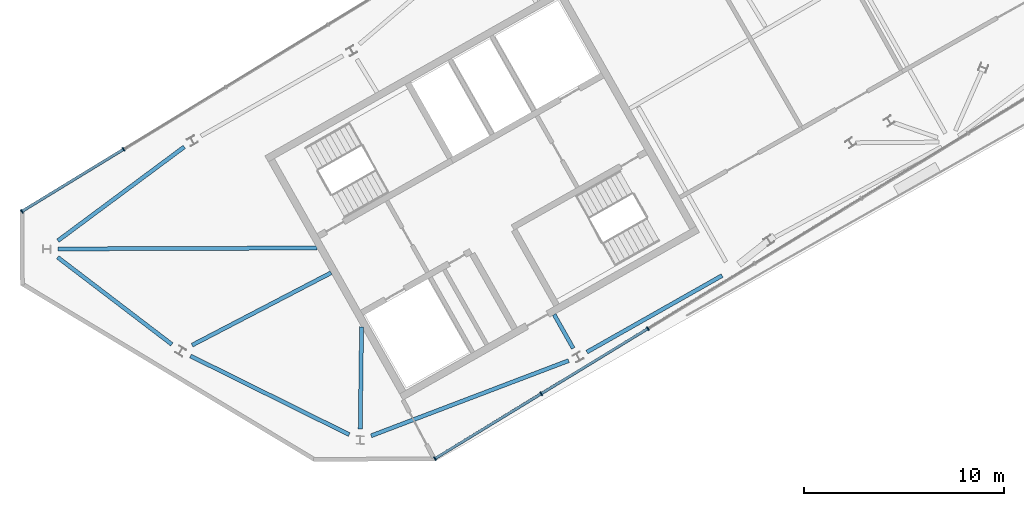
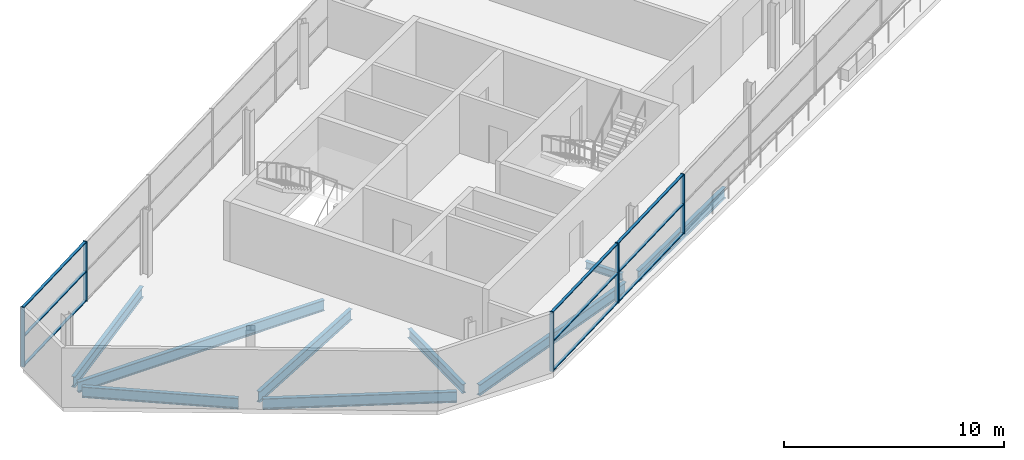
# One storey, part 3 of 10: 14 members, 9 beams, 2 elements without a shape of their own.
"""IFC4 building model written with IfcOpenShell, lengths in metres."""

from ifc_helpers import new_model, si_unit, direction, frame, origin, origin_2d, place, context, subcontext, project, spatial, rectangle, i_section, extrude, material, material_profile, profile_set, type_object, element, aggregate, save


model = new_model("IFC4")

# Units and contexts
model_context = context("Model", 3, precision=1e-05, world=origin(), true_north=direction((0.0, 1.0)))
body_context = subcontext(model_context, "Body", "Model", "MODEL_VIEW")
ifc_project = project(units=[si_unit("LENGTHUNIT", "METRE"), si_unit("AREAUNIT", "SQUARE_METRE"), si_unit("VOLUMEUNIT", "CUBIC_METRE"), si_unit("PLANEANGLEUNIT", "RADIAN"), si_unit("MASSUNIT", "GRAM", prefix="KILO")], contexts=[model_context])

# Site, building, storey
site_placement = place(None, origin())
site = spatial("IfcSite", under=ifc_project, at=site_placement, CompositionType="ELEMENT")
building_placement = place(site_placement, origin())
building = spatial("IfcBuilding", under=site, at=building_placement, Name="Binnacle Exchange Tower", CompositionType="ELEMENT")
storey_placement = place(building_placement, frame((0.0, 0.0, 346.89990234375)))
storey = spatial("IfcBuildingStorey", under=building, at=storey_placement, Name="L79", CompositionType="ELEMENT", Elevation=346.89990234375)

# Curtain wall, members
ifc_material_1 = material(Name="Bronze anodised aluminium frame", Category="aluminium")
curtain_wall_type = type_object("IfcCurtainWallType", Name="External wall - curtain wall crown tiers", PredefinedType="NOTDEFINED", material=ifc_material_1)
curtain_wall_1_placement = place(storey_placement, origin())
curtain_wall_1 = element("IfcCurtainWall", 1, at=curtain_wall_1_placement, inside=storey, type_object=curtain_wall_type, Name="External wall curtain wall CW5-C103 L79", PredefinedType="NOTDEFINED")
ifc_material_profile_1 = material_profile(ifc_material_1, rectangle(XDim=0.199951171875, YDim=0.06005859375, at=origin_2d()), Name="AL 60x200")
ifc_profile_set_1 = profile_set([ifc_material_profile_1], Name="Bronze anodised aluminium frame")
member_type_1 = type_object("IfcMemberType", Name="CW5 MULLION 60x200", PredefinedType="MULLION", material=ifc_profile_set_1)
member_1_placement = place(storey_placement, frame((-53.66259765625, 42.00048828125, 0.0), z_axis=(0.0, 0.0, 1.0), x_axis=(0.521156922554, -0.853460873194, 0.0)))
member_1 = element("IfcMember", 2, at=member_1_placement, type_object=member_type_1, Name="CW5-C103 mullion 10", PredefinedType="MULLION", context=body_context, shape_type="SweptSolid", body=[
    extrude(rectangle(XDim=0.199951171875, YDim=0.06005859375, at=origin_2d()), origin(), (0.0, 0.0, 1.0), 3.300048828125),
])
member_2_placement = place(storey_placement, frame((-58.738525390625, 38.90087890625, 0.0), z_axis=(0.0, 0.0, 1.0), x_axis=(0.521156922554, -0.853460873194, 0.0)))
member_2 = element("IfcMember", 3, at=member_2_placement, type_object=member_type_1, Name="CW5-C103 mullion 11", PredefinedType="MULLION", context=body_context, shape_type="SweptSolid", body=[
    extrude(rectangle(XDim=0.199951171875, YDim=0.06005859375, at=origin_2d()), origin(), (0.0, 0.0, 1.0), 3.300048828125),
])

curtain_wall_2_placement = place(storey_placement, origin())
curtain_wall_2 = element("IfcCurtainWall", 4, at=curtain_wall_2_placement, inside=storey, type_object=curtain_wall_type, Name="External wall curtain wall CW5-C107 L79", PredefinedType="NOTDEFINED")
member_3_placement = place(storey_placement, frame((-38.119873046875, 26.568603515625, 0.0), z_axis=(0.0, 0.0, 1.0), x_axis=(-0.521156922554, 0.853460873194, 0.0)))
member_3 = element("IfcMember", 5, at=member_3_placement, type_object=member_type_1, Name="CW5-C107 mullion 1", PredefinedType="MULLION", context=body_context, shape_type="SweptSolid", body=[
    extrude(rectangle(XDim=0.199951171875, YDim=0.06005859375, at=origin_2d()), origin(), (0.0, 0.0, 1.0), 3.300048828125),
])
member_4_placement = place(storey_placement, frame((-32.820556640625, 29.804443359375, 0.0), z_axis=(0.0, 0.0, 1.0), x_axis=(-0.521156922554, 0.853460873194, 0.0)))
member_4 = element("IfcMember", 6, at=member_4_placement, type_object=member_type_1, Name="CW5-C107 mullion 2", PredefinedType="MULLION", context=body_context, shape_type="SweptSolid", body=[
    extrude(rectangle(XDim=0.199951171875, YDim=0.06005859375, at=origin_2d()), origin(), (0.0, 0.0, 1.0), 3.300048828125),
])
member_5_placement = place(storey_placement, frame((-27.49560546875, 33.05615234375, 0.0), z_axis=(0.0, 0.0, 1.0), x_axis=(-0.521156922554, 0.853460873194, 0.0)))
member_5 = element("IfcMember", 7, at=member_5_placement, type_object=member_type_1, Name="CW5-C107 mullion 3", PredefinedType="MULLION", context=body_context, shape_type="SweptSolid", body=[
    extrude(rectangle(XDim=0.199951171875, YDim=0.06005859375, at=origin_2d()), origin(), (0.0, 0.0, 1.0), 3.300048828125),
])

# Member
ifc_material_profile_2 = material_profile(ifc_material_1, rectangle(XDim=0.139892578125, YDim=0.050048828125, at=origin_2d()), Name="AL 140x50")
ifc_profile_set_2 = profile_set([ifc_material_profile_2], Name="Bronze anodised aluminium frame")
member_type_2 = type_object("IfcMemberType", Name="CW5 TRANSOM 50x140", PredefinedType="USERDEFINED", material=ifc_profile_set_2)
member_6_placement = place(storey_placement, frame((-53.688232421875, 41.98486328125, 0.025146484375), z_axis=(-0.853452971317, -0.521169862665, 0.0), x_axis=(0.521169862665, -0.853452971317, 0.0)))
member_6 = element("IfcMember", 8, at=member_6_placement, type_object=member_type_2, Name="CW5-C103 transom 10.1", ObjectType="TRANSOM", PredefinedType="USERDEFINED", context=body_context, shape_type="SweptSolid", body=[
    extrude(rectangle(XDim=0.139892578125, YDim=0.050048828125, at=origin_2d()), origin(), (0.0, 0.0, 1.0), 5.887451171875),
])

member_7_placement = place(storey_placement, frame((-53.688232421875, 41.98486328125, 1.650146484375), z_axis=(-0.853452971317, -0.521169862665, 0.0), x_axis=(0.521169862665, -0.853452971317, 0.0)))
member_7 = element("IfcMember", 9, at=member_7_placement, type_object=member_type_2, Name="CW5-C103 transom 10.2", ObjectType="TRANSOM", PredefinedType="USERDEFINED", context=body_context, shape_type="SweptSolid", body=[
    extrude(rectangle(XDim=0.139892578125, YDim=0.050048828125, at=origin_2d()), origin(), (0.0, 0.0, 1.0), 5.887451171875),
])

member_8_placement = place(storey_placement, frame((-53.688232421875, 41.98486328125, 3.275146484375), z_axis=(-0.853452971317, -0.521169862665, 0.0), x_axis=(0.521169862665, -0.853452971317, 0.0)))
member_8 = element("IfcMember", 10, at=member_8_placement, type_object=member_type_2, Name="CW5-C103 transom 10.3", ObjectType="TRANSOM", PredefinedType="USERDEFINED", context=body_context, shape_type="SweptSolid", body=[
    extrude(rectangle(XDim=0.139892578125, YDim=0.050048828125, at=origin_2d()), origin(), (0.0, 0.0, 1.0), 5.887451171875),
])

aggregate(curtain_wall_1, [member_1, member_2, member_6, member_7, member_8])

member_9_placement = place(storey_placement, frame((-38.09423828125, 26.584228515625, 0.025146484375), z_axis=(0.853466289952, 0.52114805182, 0.0), x_axis=(-0.52114805182, 0.853466289952, 0.0)))
member_9 = element("IfcMember", 11, at=member_9_placement, type_object=member_type_2, Name="CW5-C107 transom 1.1", ObjectType="TRANSOM", PredefinedType="USERDEFINED", context=body_context, shape_type="SweptSolid", body=[
    extrude(rectangle(XDim=0.139892578125, YDim=0.050048828125, at=origin_2d()), origin(), (0.0, 0.0, 1.0), 6.149169921875),
])

member_10_placement = place(storey_placement, frame((-38.09423828125, 26.584228515625, 1.650146484375), z_axis=(0.853466289952, 0.52114805182, 0.0), x_axis=(-0.52114805182, 0.853466289952, 0.0)))
member_10 = element("IfcMember", 12, at=member_10_placement, type_object=member_type_2, Name="CW5-C107 transom 1.2", ObjectType="TRANSOM", PredefinedType="USERDEFINED", context=body_context, shape_type="SweptSolid", body=[
    extrude(rectangle(XDim=0.139892578125, YDim=0.050048828125, at=origin_2d()), origin(), (0.0, 0.0, 1.0), 6.149169921875),
])

member_11_placement = place(storey_placement, frame((-38.09423828125, 26.584228515625, 3.275146484375), z_axis=(0.853466289952, 0.52114805182, 0.0), x_axis=(-0.52114805182, 0.853466289952, 0.0)))
member_11 = element("IfcMember", 13, at=member_11_placement, type_object=member_type_2, Name="CW5-C107 transom 1.3", ObjectType="TRANSOM", PredefinedType="USERDEFINED", context=body_context, shape_type="SweptSolid", body=[
    extrude(rectangle(XDim=0.139892578125, YDim=0.050048828125, at=origin_2d()), origin(), (0.0, 0.0, 1.0), 6.149169921875),
])

member_12_placement = place(storey_placement, frame((-32.794921875, 29.820068359375, 0.025146484375), z_axis=(0.853450748659, 0.52117350241, 0.0), x_axis=(-0.52117350241, 0.853450748659, 0.0)))
member_12 = element("IfcMember", 14, at=member_12_placement, type_object=member_type_2, Name="CW5-C107 transom 2.1", ObjectType="TRANSOM", PredefinedType="USERDEFINED", context=body_context, shape_type="SweptSolid", body=[
    extrude(rectangle(XDim=0.139892578125, YDim=0.050048828125, at=origin_2d()), origin(), (0.0, 0.0, 1.0), 6.17919921875),
])

member_13_placement = place(storey_placement, frame((-32.794921875, 29.820068359375, 1.650146484375), z_axis=(0.853450748659, 0.52117350241, 0.0), x_axis=(-0.52117350241, 0.853450748659, 0.0)))
member_13 = element("IfcMember", 15, at=member_13_placement, type_object=member_type_2, Name="CW5-C107 transom 2.2", ObjectType="TRANSOM", PredefinedType="USERDEFINED", context=body_context, shape_type="SweptSolid", body=[
    extrude(rectangle(XDim=0.139892578125, YDim=0.050048828125, at=origin_2d()), origin(), (0.0, 0.0, 1.0), 6.17919921875),
])

member_14_placement = place(storey_placement, frame((-32.794921875, 29.820068359375, 3.275146484375), z_axis=(0.853450748659, 0.52117350241, 0.0), x_axis=(-0.52117350241, 0.853450748659, 0.0)))
member_14 = element("IfcMember", 16, at=member_14_placement, type_object=member_type_2, Name="CW5-C107 transom 2.3", ObjectType="TRANSOM", PredefinedType="USERDEFINED", context=body_context, shape_type="SweptSolid", body=[
    extrude(rectangle(XDim=0.139892578125, YDim=0.050048828125, at=origin_2d()), origin(), (0.0, 0.0, 1.0), 6.17919921875),
])

aggregate(curtain_wall_2, [member_3, member_4, member_5, member_9, member_10, member_11, member_12, member_13, member_14])

# Beams
ifc_material_2 = material(Name="Steel S355 (SHN355)", Category="steel")
ifc_material_profile_3 = material_profile(ifc_material_2, i_section(OverallWidth=0.199951171875, OverallDepth=0.60009765625, WebThickness=0.010986328125, FlangeThickness=0.01708984375, FilletRadius=0.02197265625, at=origin_2d()), Name="H 600x200x11x17")
ifc_profile_set_3 = profile_set([ifc_material_profile_3], Name="Steel S355 (SHN355)")
beam_type_1 = type_object("IfcBeamType", Name="Edge girder H 600x200x11x17 Steel S355 (SHN355)", PredefinedType="SPANDREL", material=ifc_profile_set_3)
beam_1_placement = place(storey_placement, frame((-56.9375, 37.439697265625, -0.599853515625), z_axis=(0.802881126557, 0.596139158769, 0.0), x_axis=(-0.596139158769, 0.802881126557, 0.0)))
element("IfcBeam", 17, at=beam_1_placement, inside=storey, type_object=beam_type_1, Name="S:BM:edge:L79:011", PredefinedType="SPANDREL", context=body_context, shape_type="SweptSolid", body=[
    extrude(i_section(OverallWidth=0.199951171875, OverallDepth=0.60009765625, WebThickness=0.010986328125, FlangeThickness=0.01708984375, FilletRadius=0.02197265625, at=origin_2d()), origin(), (0.0, 0.0, 1.0), 7.855224609375),
])
beam_2_placement = place(storey_placement, frame((-51.251953125, 32.2666015625, -0.599853515625), z_axis=(-0.795078805768, 0.606506135681, 0.0), x_axis=(-0.606506135681, -0.795078805768, 0.0)))
element("IfcBeam", 18, at=beam_2_placement, inside=storey, type_object=beam_type_1, Name="S:BM:edge:L79:012", PredefinedType="SPANDREL", context=body_context, shape_type="SweptSolid", body=[
    extrude(i_section(OverallWidth=0.199951171875, OverallDepth=0.60009765625, WebThickness=0.010986328125, FlangeThickness=0.01708984375, FilletRadius=0.02197265625, at=origin_2d()), origin(), (0.0, 0.0, 1.0), 7.164794921875),
])
beam_3_placement = place(storey_placement, frame((-42.404296875, 27.765380859375, -0.599853515625), z_axis=(-0.896057836822, 0.443937330115, 0.0), x_axis=(-0.443937330115, -0.896057836822, 0.0)))
element("IfcBeam", 19, at=beam_3_placement, inside=storey, type_object=beam_type_1, Name="S:BM:edge:L79:014", PredefinedType="SPANDREL", context=body_context, shape_type="SweptSolid", body=[
    extrude(i_section(OverallWidth=0.199951171875, OverallDepth=0.60009765625, WebThickness=0.010986328125, FlangeThickness=0.01708984375, FilletRadius=0.02197265625, at=origin_2d()), origin(), (0.0, 0.0, 1.0), 8.8310546875),
])
beam_4_placement = place(storey_placement, frame((-31.4482421875, 31.455322265625, -0.599853515625), z_axis=(-0.934635447744, -0.35560733938, 0.0), x_axis=(0.35560733938, -0.934635447744, 0.0)))
element("IfcBeam", 20, at=beam_4_placement, inside=storey, type_object=beam_type_1, Name="S:BM:edge:L79:017", PredefinedType="SPANDREL", context=body_context, shape_type="SweptSolid", body=[
    extrude(i_section(OverallWidth=0.199951171875, OverallDepth=0.60009765625, WebThickness=0.010986328125, FlangeThickness=0.01708984375, FilletRadius=0.02197265625, at=origin_2d()), origin(), (0.0, 0.0, 1.0), 10.546142578125),
])
beam_5_placement = place(storey_placement, frame((-23.791259765625, 35.699951171875, -0.599853515625), z_axis=(-0.870358700717, -0.49241824914, 0.0), x_axis=(0.49241824914, -0.870358700717, 0.0)))
element("IfcBeam", 21, at=beam_5_placement, inside=storey, type_object=beam_type_1, Name="S:BM:edge:L79:018", PredefinedType="SPANDREL", context=body_context, shape_type="SweptSolid", body=[
    extrude(i_section(OverallWidth=0.199951171875, OverallDepth=0.60009765625, WebThickness=0.010986328125, FlangeThickness=0.01708984375, FilletRadius=0.02197265625, at=origin_2d()), origin(), (0.0, 0.0, 1.0), 7.75439453125),
])
ifc_material_profile_4 = material_profile(ifc_material_2, i_section(OverallWidth=0.199951171875, OverallDepth=0.39990234375, WebThickness=0.008056640625, FlangeThickness=0.012939453125, FilletRadius=0.01611328125, at=origin_2d()), Name="H 400x200x8x13")
ifc_profile_set_4 = profile_set([ifc_material_profile_4], Name="Steel S355 (SHN355)")
beam_type_2 = type_object("IfcBeamType", Name="Floor beam H 400x200x8x13 Steel S355 (SHN355)", PredefinedType="BEAM", material=ifc_profile_set_4)
beam_6_placement = place(storey_placement, frame((-31.2216796875, 32.070556640625, -0.5), z_axis=(-0.492518856771, 0.870301772792, 0.0), x_axis=(-0.870301772792, -0.492518856771, 0.0)))
element("IfcBeam", 22, at=beam_6_placement, inside=storey, type_object=beam_type_2, Name="S:BM:cross:L79:027", PredefinedType="BEAM", context=body_context, shape_type="SweptSolid", body=[
    extrude(i_section(OverallWidth=0.199951171875, OverallDepth=0.39990234375, WebThickness=0.008056640625, FlangeThickness=0.012939453125, FilletRadius=0.01611328125, at=origin_2d()), origin(), (0.0, 0.0, 1.0), 1.934326171875),
])
ifc_material_profile_5 = material_profile(ifc_material_2, i_section(OverallWidth=0.200927734375, OverallDepth=0.506103515625, WebThickness=0.010986328125, FlangeThickness=0.01904296875, FilletRadius=0.02001953125, at=origin_2d()), Name="H 506x201x11x19")
ifc_profile_set_5 = profile_set([ifc_material_profile_5], Name="Steel S355 (SHN355)")
beam_type_3 = type_object("IfcBeamType", Name="Floor beam H 506x201x11x19 Steel S355 (SHN355)", PredefinedType="BEAM", material=ifc_profile_set_5)
beam_7_placement = place(storey_placement, frame((-41.8505859375, 28.044921875, -0.552978515625), z_axis=(0.013115195493, 0.999913992125, 0.0), x_axis=(-0.999913992125, 0.013115195493, 0.0)))
element("IfcBeam", 23, at=beam_7_placement, inside=storey, type_object=beam_type_3, Name="S:BM:cross:L79:025", PredefinedType="BEAM", context=body_context, shape_type="SweptSolid", body=[
    extrude(i_section(OverallWidth=0.200927734375, OverallDepth=0.506103515625, WebThickness=0.010986328125, FlangeThickness=0.01904296875, FilletRadius=0.02001953125, at=origin_2d()), origin(), (0.0, 0.0, 1.0), 5.1005859375),
])
ifc_material_profile_6 = material_profile(ifc_material_2, i_section(OverallWidth=0.199951171875, OverallDepth=0.60009765625, WebThickness=0.010986328125, FlangeThickness=0.01708984375, FilletRadius=0.02197265625, at=origin_2d()), Name="H 600x200x11x17")
ifc_profile_set_6 = profile_set([ifc_material_profile_6], Name="Steel S355 (SHN355)")
beam_type_4 = type_object("IfcBeamType", Name="Floor beam H 600x200x11x17 Steel S355 (SHN355)", PredefinedType="BEAM", material=ifc_profile_set_6)
beam_8_placement = place(storey_placement, frame((-56.94287109375, 37.029296875, -0.599853515625), z_axis=(0.999993570164, 0.003586032847, 0.0), x_axis=(-0.003586032847, 0.999993570164, 0.0)))
element("IfcBeam", 24, at=beam_8_placement, inside=storey, type_object=beam_type_4, Name="S:BM:cross:L79:023", PredefinedType="BEAM", context=body_context, shape_type="SweptSolid", body=[
    extrude(i_section(OverallWidth=0.199951171875, OverallDepth=0.60009765625, WebThickness=0.010986328125, FlangeThickness=0.01708984375, FilletRadius=0.02197265625, at=origin_2d()), origin(), (0.0, 0.0, 1.0), 12.935302734375),
])
ifc_material_profile_7 = material_profile(ifc_material_2, i_section(OverallWidth=0.199951171875, OverallDepth=0.60009765625, WebThickness=0.010986328125, FlangeThickness=0.01708984375, FilletRadius=0.02197265625, at=origin_2d()), Name="H 600x200x11x17")
ifc_profile_set_7 = profile_set([ifc_material_profile_7], Name="Steel S355 (SHN355)")
beam_type_5 = type_object("IfcBeamType", Name="Spine girder H 600x200x11x17 Steel S355 (SHN355)", PredefinedType="BEAM", material=ifc_profile_set_7)
beam_9_placement = place(storey_placement, frame((-50.239990234375, 32.228759765625, -0.599853515625), z_axis=(0.886978864001, 0.461810020264, 0.0), x_axis=(-0.461810020264, 0.886978864001, 0.0)))
element("IfcBeam", 25, at=beam_9_placement, inside=storey, type_object=beam_type_5, Name="S:BM:spine:L79:009", PredefinedType="BEAM", context=body_context, shape_type="SweptSolid", body=[
    extrude(i_section(OverallWidth=0.199951171875, OverallDepth=0.60009765625, WebThickness=0.010986328125, FlangeThickness=0.01708984375, FilletRadius=0.02197265625, at=origin_2d()), origin(), (0.0, 0.0, 1.0), 7.815673828125),
])

save(model, "model.ifc")
